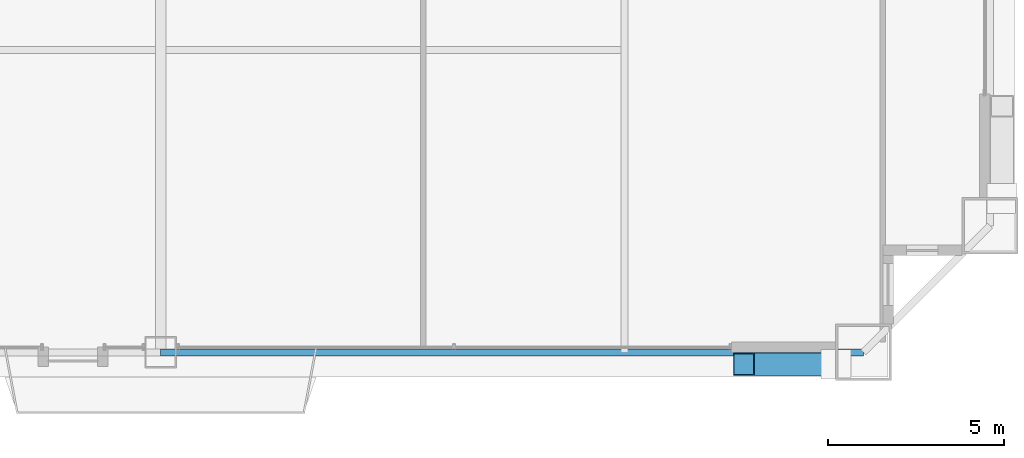
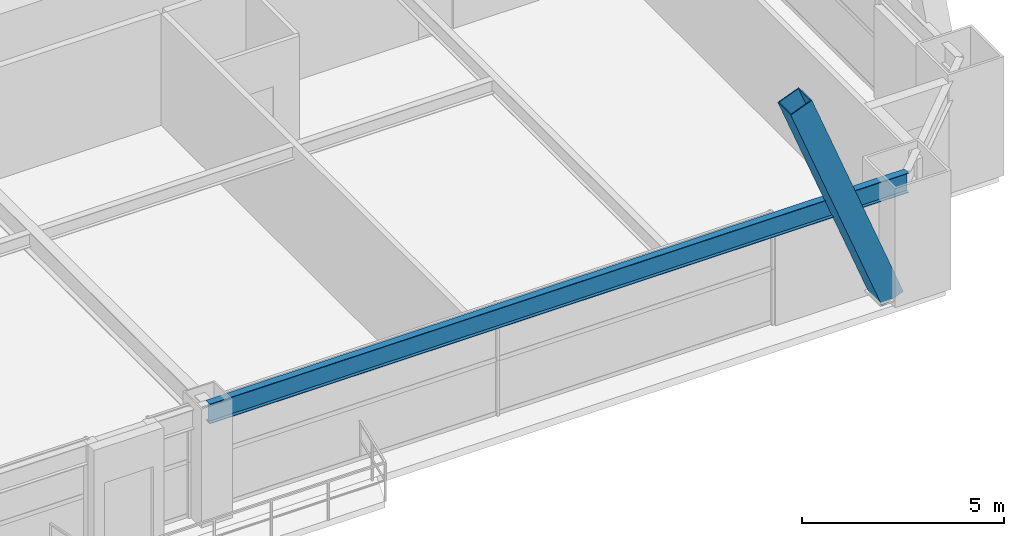
# One storey, part 15 of 43: 1 beam, 1 member.
"""IFC4 building model written with IfcOpenShell, lengths in metres."""

from ifc_helpers import new_model, si_unit, direction, frame, origin, origin_2d, place, context, subcontext, project, spatial, hollow_rectangle, i_section, extrude, source, transform, mapped, material, material_profile, profile_set, type_object, element, save


model = new_model("IFC4")

# Units and contexts
model_context = context("Model", 3, precision=1e-05, world=origin(), true_north=direction((0.0, 1.0)))
body_context = subcontext(model_context, "Body", "Model", "MODEL_VIEW")
ifc_project = project(units=[si_unit("LENGTHUNIT", "METRE"), si_unit("AREAUNIT", "SQUARE_METRE"), si_unit("VOLUMEUNIT", "CUBIC_METRE"), si_unit("PLANEANGLEUNIT", "RADIAN"), si_unit("MASSUNIT", "GRAM", prefix="KILO"), si_unit("THERMODYNAMICTEMPERATUREUNIT", "KELVIN"), si_unit("POWERUNIT", "WATT")], contexts=[model_context])

# Site, building, storey
site_placement = place(None, origin())
site = spatial("IfcSite", under=ifc_project, at=site_placement, CompositionType="ELEMENT")
building_placement = place(site_placement, origin())
building = spatial("IfcBuilding", under=site, at=building_placement, Name="Yuzanri Waterfront Tower", CompositionType="ELEMENT")
storey_placement = place(building_placement, frame((0.0, 0.0, 108.199951171875)))
storey = spatial("IfcBuildingStorey", under=building, at=storey_placement, Name="L28", CompositionType="ELEMENT", Elevation=108.199951171875)

# Beam
ifc_material_1 = material(Name="Steel Q355B", Category="steel")
ifc_material_profile_1 = material_profile(ifc_material_1, i_section(OverallWidth=0.199951171875, OverallDepth=0.60009765625, WebThickness=0.010986328125, FlangeThickness=0.01708984375, at=origin_2d()), Name="HN 600x200x11x17")
ifc_profile_set_1 = profile_set([ifc_material_profile_1], Name="Steel Q355B")
beam_type = type_object("IfcBeamType", Name="Perimeter Spandrel Q355B HN 600x200", PredefinedType="SPANDREL", material=ifc_profile_set_1)
shared_shape_1 = source(origin(), body_context, "Body", "SweptSolid", [
    extrude(i_section(OverallWidth=0.199951171875, OverallDepth=0.60009765625, WebThickness=0.010986328125, FlangeThickness=0.01708984375, at=origin_2d()), origin(), (0.0, 0.0, 1.0), 20.0),
])
beam_placement = place(storey_placement, frame((37.0, 2.199951171875, 3.080078125), z_axis=(1.0, 0.0, 0.0), x_axis=(0.0, 1.0, 0.0)))
element("IfcBeam", 1, at=beam_placement, inside=storey, type_object=beam_type, Name="L28 Perimeter Spandrel S2-S3", PredefinedType="SPANDREL", context=body_context, shape_type="MappedRepresentation", body=[
    mapped(shared_shape_1, transform((0.0, 0.0, 0.0), scale=1.0)),
])

# Member
ifc_material_2 = material(Name="Steel Q420GJC", Category="steel")
ifc_material_profile_2 = material_profile(ifc_material_2, hollow_rectangle(XDim=0.64990234375, YDim=0.64990234375, WallThickness=0.028076171875, at=origin_2d()), Name="RHS 650x650x28")
ifc_profile_set_2 = profile_set([ifc_material_profile_2], Name="Steel Q420GJC")
member_type = type_object("IfcMemberType", Name="Mega Brace Lower Q420GJC RHS 650x650x28", PredefinedType="BRACE", material=ifc_profile_set_2)
shared_shape_2 = source(origin(), body_context, "Body", "SweptSolid", [
    extrude(hollow_rectangle(XDim=0.64990234375, YDim=0.64990234375, WallThickness=0.028076171875, at=origin_2d()), origin(), (0.0, 0.0, 1.0), 7.194091796875),
])
member_placement = place(storey_placement, frame((56.219970703125, 1.860107421875, 0.179931640625), z_axis=(-0.36416517997, 0.0, 0.931334376955), x_axis=(0.0, -1.0, 0.0)))
element("IfcMember", 2, at=member_placement, inside=storey, type_object=member_type, Name="L28-L29 Perimeter Mega-Brace S-R", PredefinedType="BRACE", context=body_context, shape_type="MappedRepresentation", body=[
    mapped(shared_shape_2, transform((0.0, 0.0, 0.0), scale=1.0)),
])

save(model, "model.ifc")
